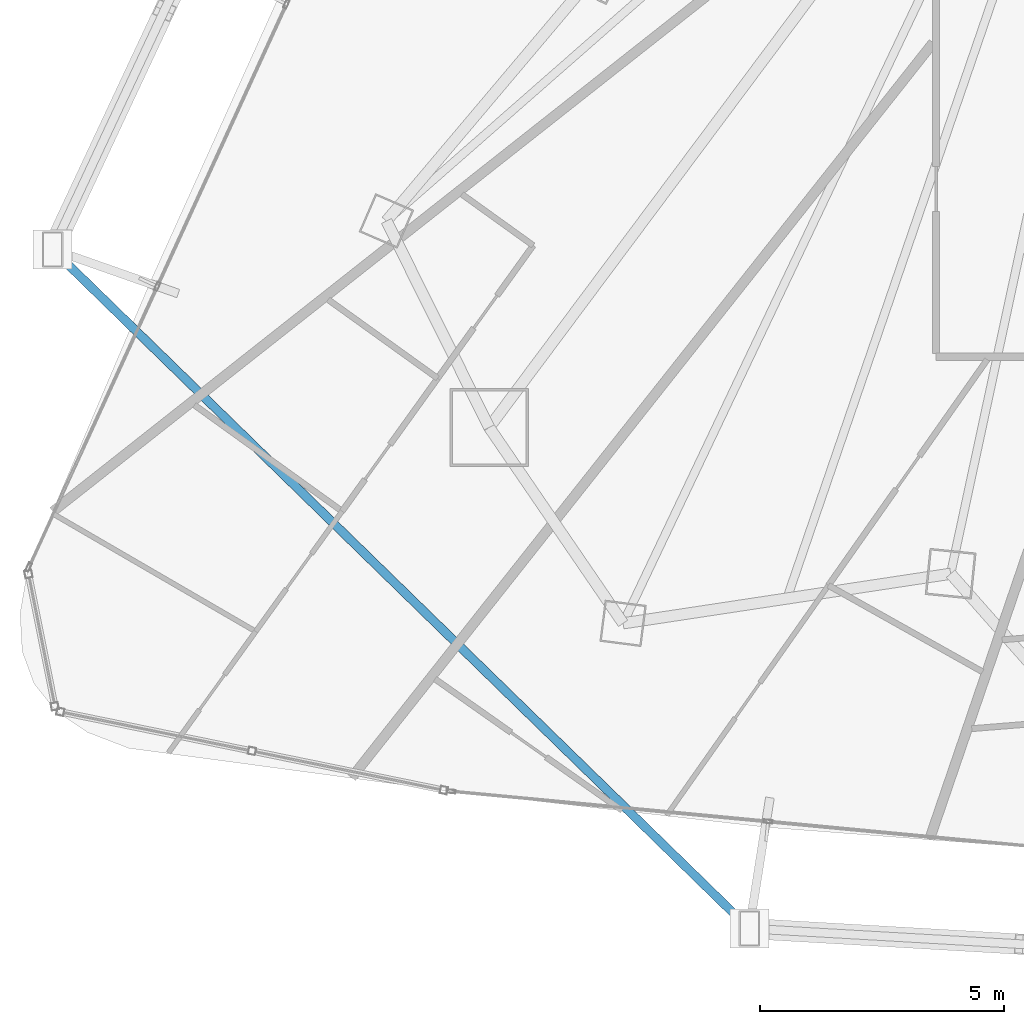
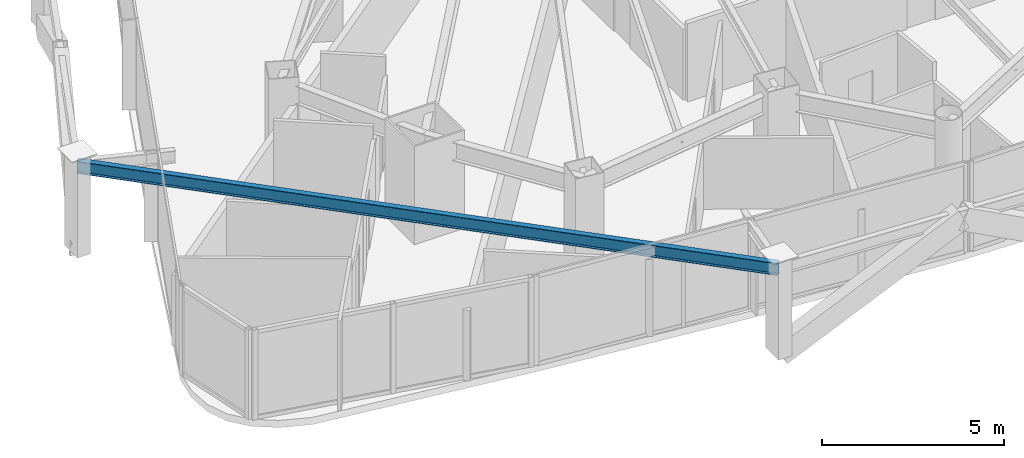
# One storey, part 3 of 38: 1 beam.
"""IFC4 building model written with IfcOpenShell, lengths in metres."""

from ifc_helpers import new_model, si_unit, direction, frame, origin, origin_2d, place, context, subcontext, project, spatial, i_section, extrude, material, material_profile, profile_set, type_object, element, save


model = new_model("IFC4")

# Units and contexts
model_context = context("Model", 3, precision=1e-05, world=origin(), true_north=direction((0.0, 1.0)))
body_context = subcontext(model_context, "Body", "Model", "MODEL_VIEW")
ifc_project = project(units=[si_unit("LENGTHUNIT", "METRE"), si_unit("AREAUNIT", "SQUARE_METRE"), si_unit("VOLUMEUNIT", "CUBIC_METRE"), si_unit("PLANEANGLEUNIT", "RADIAN"), si_unit("MASSUNIT", "GRAM", prefix="KILO")], contexts=[model_context])

# Site, building, storey
site_placement = place(None, origin())
site = spatial("IfcSite", under=ifc_project, at=site_placement, CompositionType="ELEMENT")
building_placement = place(site_placement, origin())
building = spatial("IfcBuilding", under=site, at=building_placement, Name="Orvanel Arch Residences", CompositionType="ELEMENT")
storey_placement = place(building_placement, frame((0.0, 0.0, 56.60009765625)))
storey = spatial("IfcBuildingStorey", under=building, at=storey_placement, Name="L15", CompositionType="ELEMENT", Elevation=56.60009765625)

# Beam
ifc_material = material(Name="Structural steel AS/NZS 3679.1 Grade 300 (300 MPa)", Category="steel")
ifc_material_profile = material_profile(ifc_material, i_section(OverallWidth=0.177978515625, OverallDepth=0.406005859375, WebThickness=0.0078125, FlangeThickness=0.0126953125, at=origin_2d()), Name="410UB59.7")
ifc_profile_set = profile_set([ifc_material_profile], Name="Structural steel AS/NZS 3679.1 Grade 300 (300 MPa)")
beam_type = type_object("IfcBeamType", Name="OB-410UB-EXT", PredefinedType="SPANDREL", material=ifc_profile_set)
beam_placement = place(storey_placement, frame((5.256103515625, 13.99609375, 2.81689453125), z_axis=(0.716121232372, -0.697975916881, 0.0), x_axis=(0.697975916881, 0.716121232372, 0.0)))
element("IfcBeam", 1, at=beam_placement, inside=storey, type_object=beam_type, Name="L15 Outer Perimeter Floor Ring Beam 04", PredefinedType="SPANDREL", context=body_context, shape_type="SweptSolid", body=[
    extrude(i_section(OverallWidth=0.177978515625, OverallDepth=0.406005859375, WebThickness=0.0078125, FlangeThickness=0.0126953125, at=origin_2d()), origin(), (0.0, 0.0, 1.0), 19.926513671875),
])

save(model, "model.ifc")
